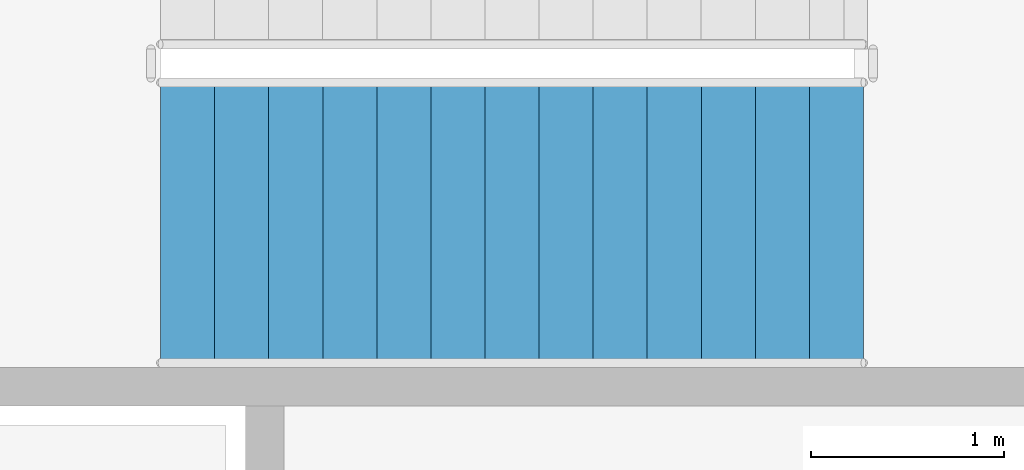
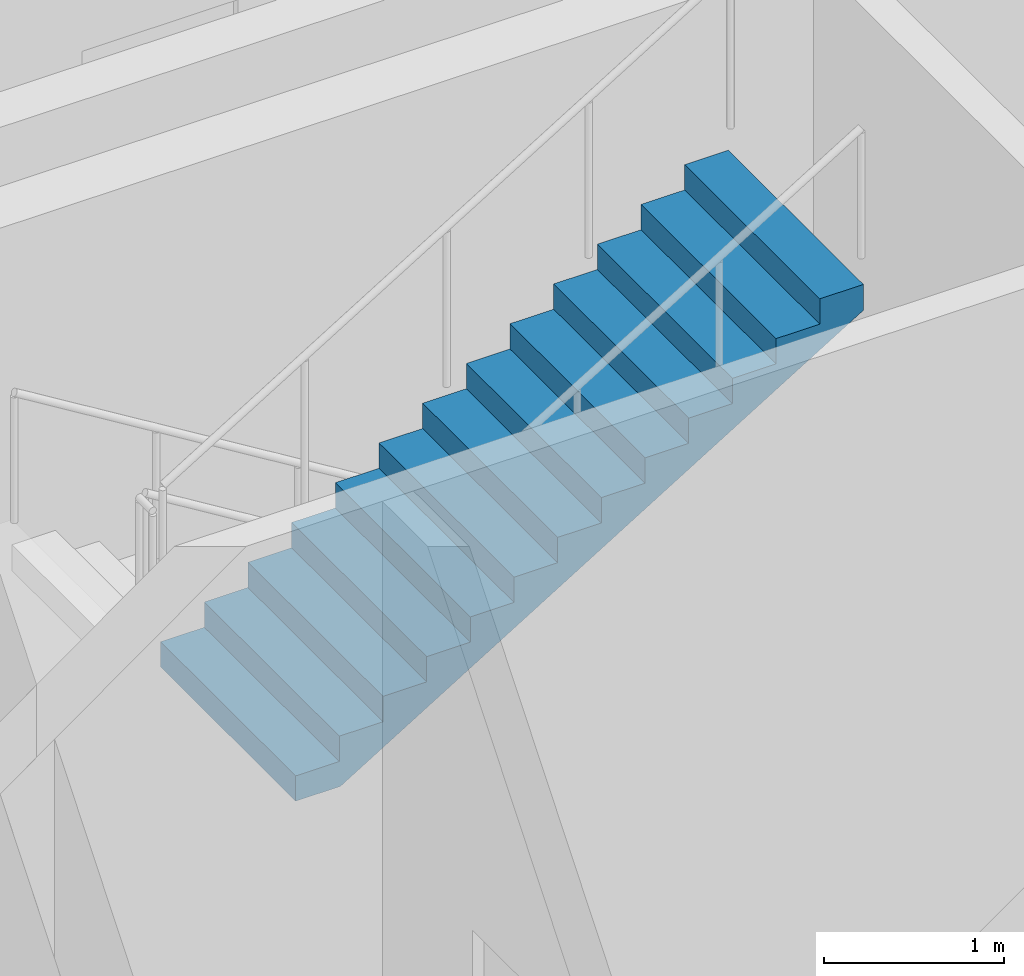
# One storey, part 67 of 91: 1 stair flight, 1 element without a shape of its own.
"""IFC4 building model written with IfcOpenShell, lengths in metres."""

import ifcopenshell
import ifcopenshell.guid

model = None  # the IFC model being written
_history = None  # IfcOwnerHistory: only IFC2X3 demands one
_inside = {}  # id of a spatial element -> (the spatial element, [elements in it])
_under = {}  # id of a project, library or spatial element -> (it, [spatial elements below it])
_declared = {}  # id of a project -> (the project, [libraries it declares])
_typed = {}  # id of a type object -> (the type object, [elements of that type])
_made_of = {}  # id of a material, layer set ... -> (it, [elements and type objects made of it])


def new_model(schema):
    """Start an empty IFC model of exactly this schema.

    Asked for "IFC4X3", IfcOpenShell would pick the latest addendum, in which some entities
    have other attributes; the version numbers below select the first issue.
    IFC2X3 requires an IfcOwnerHistory on every rooted entity: one is made here for all.
    """
    global model, _history
    if schema == "IFC4X3":
        model = ifcopenshell.file(schema_version=(4, 3, 0, 0))
    else:
        model = ifcopenshell.file(schema=schema)
    _inside.clear()
    _under.clear()
    _declared.clear()
    _typed.clear()
    _made_of.clear()
    _history = None
    if model.schema == "IFC2X3":
        org = make("IfcOrganization", Name="unknown")
        user = make(
            "IfcPersonAndOrganization",
            ThePerson=make("IfcPerson", FamilyName="unknown"),
            TheOrganization=org,
        )
        app = make(
            "IfcApplication",
            ApplicationDeveloper=org,
            Version="unknown",
            ApplicationFullName="unknown",
            ApplicationIdentifier="unknown",
        )
        _history = make(
            "IfcOwnerHistory",
            OwningUser=user,
            OwningApplication=app,
            ChangeAction="ADDED",
            CreationDate=0,
        )
    return model


def make(cls, **values):
    """One entity of the class cls with the attributes given. An attribute that is None is left unset."""
    return model.create_entity(
        cls, **{name: value for name, value in values.items() if value is not None}
    )


def rooted(cls, **values):
    """An entity with a GlobalId (a new one), such as an element, a storey or a relation."""
    return make(cls, GlobalId=ifcopenshell.guid.new(), OwnerHistory=_history, **values)


def si_unit(unit_type, name, prefix=None):
    """IfcSIUnit, for example si_unit("LENGTHUNIT", "METRE", prefix="MILLI")."""
    return make("IfcSIUnit", UnitType=unit_type, Prefix=prefix, Name=name)


def assignment(units):
    """IfcUnitAssignment: the units of a project."""
    return None if units is None else make("IfcUnitAssignment", Units=units)


def point(xyz):
    """IfcCartesianPoint."""
    return None if xyz is None else make("IfcCartesianPoint", Coordinates=xyz)


def direction(xyz):
    """IfcDirection."""
    return None if xyz is None else make("IfcDirection", DirectionRatios=xyz)


def frame(location, z_axis=None, x_axis=None):
    """IfcAxis2Placement3D, a coordinate frame: its origin and axes. An axis left out is left unset."""
    return make(
        "IfcAxis2Placement3D",
        Location=point(location),
        Axis=direction(z_axis),
        RefDirection=direction(x_axis),
    )


def origin():
    """The frame at (0, 0, 0) with its axes left unset."""
    return frame((0.0, 0.0, 0.0))


def place(relative_to, where):
    """IfcLocalPlacement: puts the frame where relative to a parent placement (None: the world)."""
    return make(
        "IfcLocalPlacement", PlacementRelTo=relative_to, RelativePlacement=where
    )


def context(
    kind, dimensions, precision=None, world=None, true_north=None, identifier=None
):
    """IfcGeometricRepresentationContext, for example the 3D "Model" context."""
    return make(
        "IfcGeometricRepresentationContext",
        ContextIdentifier=identifier,
        ContextType=kind,
        CoordinateSpaceDimension=dimensions,
        Precision=precision,
        WorldCoordinateSystem=world,
        TrueNorth=true_north,
    )


def subcontext(parent, identifier, kind, view, scale=None):
    """IfcGeometricRepresentationSubContext, for example "Body" below "Model"."""
    return make(
        "IfcGeometricRepresentationSubContext",
        ContextIdentifier=identifier,
        ContextType=kind,
        ParentContext=parent,
        TargetScale=scale,
        TargetView=view,
    )


def project(units=None, contexts=None):
    """IfcProject with its units and contexts."""
    return rooted(
        "IfcProject",
        Name="project",
        RepresentationContexts=contexts,
        UnitsInContext=assignment(units),
    )


def spatial(cls, under=None, at=None, **own):
    """A site, building, storey or space (cls), placed at a placement, below another one or the project."""
    s = rooted(cls, ObjectPlacement=at, **own)
    if under is not None:
        _under.setdefault(under.id(), (under, []))[1].append(s)
    return s


def point_list(points):
    """IfcCartesianPointList2D or 3D."""
    cls = (
        "IfcCartesianPointList2D" if len(points[0]) == 2 else "IfcCartesianPointList3D"
    )
    return make(cls, CoordList=points)


def triangles(points, corners, closed=None, point_numbers=None):
    """IfcTriangulatedFaceSet: each triangle names its three corners, points numbered from 1."""
    return make(
        "IfcTriangulatedFaceSet",
        Coordinates=point_list(points),
        Closed=closed,
        CoordIndex=corners,
        PnIndex=point_numbers,
    )


def shape(context_of_items, identifier, shape_type, items):
    """IfcShapeRepresentation: the items that make up one representation, for example the "Body"."""
    return make(
        "IfcShapeRepresentation",
        ContextOfItems=context_of_items,
        RepresentationIdentifier=identifier,
        RepresentationType=shape_type,
        Items=items,
    )


def material(Name=None, Category=None):
    """IfcMaterial."""
    return make("IfcMaterial", Name=Name, Category=Category)


def made_of(thing, what):
    """Note that an element or type object is made of a material, layer set ...; save() writes the relation."""
    if what is not None:
        _made_of.setdefault(what.id(), (what, []))[1].append(thing)
    return thing


def type_object(cls, material=None, **own):
    """A type object (cls), such as IfcWallType, which elements share."""
    return made_of(rooted(cls, **own), material)


def element(
    cls,
    number,
    at=None,
    inside=None,
    cuts=None,
    type_object=None,
    material=None,
    context=None,
    identifier="Body",
    shape_type=None,
    held_by="IfcProductDefinitionShape",
    body=None,
    shapes=None,
    **own,
):
    """One element of the class cls, such as IfcWall. Its Tag is "e" and its number.

    at: its placement. inside: the storey or other place that contains it. cuts: it is an
    opening in that element (IfcRelVoidsElement). A single representation is given by context,
    identifier, shape_type and body (its items); several are given by shapes. held_by: the class
    of the entity that holds the representations. save() writes the other relations.
    """
    e = rooted(cls, Tag="e%d" % number, ObjectPlacement=at, **own)
    if body is not None:
        shapes = [shape(context, identifier, shape_type, body)]
    if shapes is not None:
        e.Representation = make(held_by, Representations=shapes)
    if inside is not None:
        _inside.setdefault(inside.id(), (inside, []))[1].append(e)
    if cuts is not None:
        rooted(
            "IfcRelVoidsElement", RelatingBuildingElement=cuts, RelatedOpeningElement=e
        )
    if type_object is not None:
        _typed.setdefault(type_object.id(), (type_object, []))[1].append(e)
    return made_of(e, material)


def aggregate(whole, parts):
    """IfcRelAggregates: a whole, such as a stair, and the parts it consists of."""
    return rooted("IfcRelAggregates", RelatingObject=whole, RelatedObjects=parts)


def save(model, path):
    """Write the relations noted so far, then the file.

    IfcRelAggregates (storeys below a building ...), IfcRelContainedInSpatialStructure (elements
    in a storey), IfcRelDefinesByType, IfcRelAssociatesMaterial and IfcRelDeclares: one each for
    every whole, place, type object, material and project.
    """
    for whole, parts in _under.values():
        aggregate(whole, parts)
    for where, things in _inside.values():
        rooted(
            "IfcRelContainedInSpatialStructure",
            RelatedElements=things,
            RelatingStructure=where,
        )
    for kind, things in _typed.values():
        rooted("IfcRelDefinesByType", RelatedObjects=things, RelatingType=kind)
    for what, things in _made_of.values():
        rooted("IfcRelAssociatesMaterial", RelatedObjects=things, RelatingMaterial=what)
    for by, libraries in _declared.values():
        rooted("IfcRelDeclares", RelatingContext=by, RelatedDefinitions=libraries)
    model.write(path)


model = new_model("IFC4")

# Units and contexts
model_context = context("Model", 3, precision=1e-05, world=origin(), true_north=direction((0.0, 1.0)))
body_context = subcontext(model_context, "Body", "Model", "MODEL_VIEW")
ifc_project = project(units=[si_unit("LENGTHUNIT", "METRE"), si_unit("AREAUNIT", "SQUARE_METRE"), si_unit("VOLUMEUNIT", "CUBIC_METRE"), si_unit("PLANEANGLEUNIT", "RADIAN"), si_unit("MASSUNIT", "GRAM", prefix="KILO")], contexts=[model_context])

# Site, building, storey
site_placement = place(None, origin())
site = spatial("IfcSite", under=ifc_project, at=site_placement, CompositionType="ELEMENT")
building_placement = place(site_placement, origin())
building = spatial("IfcBuilding", under=site, at=building_placement, Name="Magnolia Steps Interchange", CompositionType="ELEMENT")
storey_placement = place(building_placement, origin())
storey = spatial("IfcBuildingStorey", under=building, at=storey_placement, Name="L00", CompositionType="ELEMENT", Elevation=0.0)

# Stair, stair flight
ifc_material_1 = material(Name="Concrete C40", Category="concrete")
stair_type = type_object("IfcStairType", Name="Exit stair 1500", PredefinedType="HALF_TURN_STAIR", material=ifc_material_1)
stair_placement = place(storey_placement, origin())
stair = element("IfcStair", 1, at=stair_placement, inside=storey, type_object=stair_type, Name="L00 Stair 2", PredefinedType="HALF_TURN_STAIR")
ifc_material_2 = material(Name="Concrete C40", Category="concrete")
stair_flight_type = type_object("IfcStairFlightType", Name="Exit stair flight", PredefinedType="STRAIGHT", material=ifc_material_2)
stair_flight_placement = place(storey_placement, frame((55.360107421875, 82.699951171875, 2.39990234375), z_axis=(0.0, 0.0, 1.0), x_axis=(1.0, 0.0, 0.0)))
stair_flight = element("IfcStairFlight", 2, at=stair_flight_placement, type_object=stair_flight_type, Name="Stair 2 flight 2", NumberOfRisers=14, NumberOfTreads=13, PredefinedType="STRAIGHT", RiserHeight=0.171428571, TreadLength=0.28, context=body_context, shape_type="Tessellation", body=[
    triangles([(0.0, -0.75, 0.0), (0.287109375, -0.75, 0.0), (3.639892578125, -0.75, 2.052734375), (3.639892578125, -0.75, 2.228515625), (3.360107421875, -0.75, 2.228515625), (3.360107421875, -0.75, 2.05712890625), (3.080078125, -0.75, 2.05712890625), (3.080078125, -0.75, 1.8857421875), (2.800048828125, -0.75, 1.8857421875), (2.800048828125, -0.75, 1.71435546875), (2.52001953125, -0.75, 1.71435546875), (2.52001953125, -0.75, 1.54296875), (2.239990234375, -0.75, 1.54296875), (2.239990234375, -0.75, 1.371337890625), (1.9599609375, -0.75, 1.371337890625), (1.9599609375, -0.75, 1.199951171875), (1.679931640625, -0.75, 1.199951171875), (1.679931640625, -0.75, 1.028564453125), (1.39990234375, -0.75, 1.028564453125), (1.39990234375, -0.75, 0.857177734375), (1.1201171875, -0.75, 0.857177734375), (1.1201171875, -0.75, 0.685791015625), (0.840087890625, -0.75, 0.685791015625), (0.840087890625, -0.75, 0.514404296875), (0.56005859375, -0.75, 0.514404296875), (0.56005859375, -0.75, 0.3427734375), (0.280029296875, -0.75, 0.3427734375), (0.280029296875, -0.75, 0.17138671875), (0.0, -0.75, 0.17138671875), (0.0, 0.75, 0.0), (0.287109375, 0.75, 0.0), (3.639892578125, 0.75, 2.052734375), (3.639892578125, 0.75, 2.228515625), (3.360107421875, 0.75, 2.228515625), (3.360107421875, 0.75, 2.05712890625), (3.080078125, 0.75, 2.05712890625), (3.080078125, 0.75, 1.8857421875), (2.800048828125, 0.75, 1.8857421875), (2.800048828125, 0.75, 1.71435546875), (2.52001953125, 0.75, 1.71435546875), (2.52001953125, 0.75, 1.54296875), (2.239990234375, 0.75, 1.54296875), (2.239990234375, 0.75, 1.371337890625), (1.9599609375, 0.75, 1.371337890625), (1.9599609375, 0.75, 1.199951171875), (1.679931640625, 0.75, 1.199951171875), (1.679931640625, 0.75, 1.028564453125), (1.39990234375, 0.75, 1.028564453125), (1.39990234375, 0.75, 0.857177734375), (1.1201171875, 0.75, 0.857177734375), (1.1201171875, 0.75, 0.685791015625), (0.840087890625, 0.75, 0.685791015625), (0.840087890625, 0.75, 0.514404296875), (0.56005859375, 0.75, 0.514404296875), (0.56005859375, 0.75, 0.3427734375), (0.280029296875, 0.75, 0.3427734375), (0.280029296875, 0.75, 0.17138671875), (0.0, 0.75, 0.17138671875), (0.0, 0.0, 0.0), (0.0, 0.0, 0.0428466796875), (0.0, 0.0, 0.085693359375), (0.0, 0.0, 0.1285400390625), (0.0, 0.0, 0.17138671875), (0.0, -0.05, 0.0), (0.0, -0.05, 0.17138671875), (0.0, 0.05, 0.0), (0.0, 0.05, 0.17138671875), (0.046671549479166664, 0.0, 0.17138671875), (0.09334309895833333, 0.0, 0.17138671875), (0.1400146484375, 0.0, 0.17138671875), (0.18668619791666666, 0.0, 0.17138671875), (0.23335774739583334, 0.0, 0.17138671875), (0.280029296875, 0.0, 0.17138671875), (0.280029296875, -0.05, 0.17138671875), (0.280029296875, 0.05, 0.17138671875), (0.280029296875, 0.0, 0.2142333984375), (0.280029296875, 0.0, 0.257080078125), (0.280029296875, 0.0, 0.2999267578125), (0.280029296875, 0.0, 0.3427734375), (0.280029296875, -0.05, 0.3427734375), (0.280029296875, 0.05, 0.3427734375), (0.3267008463541667, 0.0, 0.3427734375), (0.3733723958333333, 0.0, 0.3427734375), (0.4200439453125, 0.0, 0.3427734375), (0.46671549479166663, 0.0, 0.3427734375), (0.5133870442708334, 0.0, 0.3427734375), (0.56005859375, 0.0, 0.3427734375), (0.56005859375, -0.05, 0.3427734375), (0.56005859375, 0.05, 0.3427734375), (0.56005859375, 0.0, 0.38568115234375), (0.56005859375, 0.0, 0.4285888671875), (0.56005859375, 0.0, 0.47149658203125), (0.56005859375, 0.0, 0.514404296875), (0.56005859375, -0.05, 0.514404296875), (0.56005859375, 0.05, 0.514404296875), (0.6067301432291666, 0.0, 0.514404296875), (0.6534016927083334, 0.0, 0.514404296875), (0.7000732421875, 0.0, 0.514404296875), (0.7467447916666666, 0.0, 0.514404296875), (0.7934163411458334, 0.0, 0.514404296875), (0.840087890625, 0.0, 0.514404296875), (0.840087890625, -0.05, 0.514404296875), (0.840087890625, 0.05, 0.514404296875), (0.840087890625, 0.0, 0.5572509765625), (0.840087890625, 0.0, 0.60009765625), (0.840087890625, 0.0, 0.6429443359375), (0.840087890625, 0.0, 0.685791015625), (0.840087890625, -0.05, 0.685791015625), (0.840087890625, 0.05, 0.685791015625), (0.8867594401041666, 0.0, 0.685791015625), (0.9334309895833334, 0.0, 0.685791015625), (0.9801025390625, 0.0, 0.685791015625), (1.0267740885416667, 0.0, 0.685791015625), (1.0734456380208333, 0.0, 0.685791015625), (1.1201171875, 0.0, 0.685791015625), (1.1201171875, -0.05, 0.685791015625), (1.1201171875, 0.05, 0.685791015625), (1.1201171875, 0.0, 0.7286376953125), (1.1201171875, 0.0, 0.771484375), (1.1201171875, 0.0, 0.8143310546875), (1.1201171875, 0.0, 0.857177734375), (1.1201171875, -0.05, 0.857177734375), (1.1201171875, 0.05, 0.857177734375), (1.1900634765625, 0.0, 0.857177734375), (1.260009765625, 0.0, 0.857177734375), (1.3299560546875, 0.0, 0.857177734375), (1.39990234375, 0.0, 0.857177734375), (1.39990234375, -0.05, 0.857177734375), (1.39990234375, 0.05, 0.857177734375), (1.39990234375, 0.0, 0.9000244140625), (1.39990234375, 0.0, 0.94287109375), (1.39990234375, 0.0, 0.9857177734375), (1.39990234375, 0.0, 1.028564453125), (1.39990234375, -0.05, 1.028564453125), (1.39990234375, 0.05, 1.028564453125), (1.4465738932291667, 0.0, 1.028564453125), (1.4932454427083333, 0.0, 1.028564453125), (1.5399169921875, 0.0, 1.028564453125), (1.5865885416666667, 0.0, 1.028564453125), (1.6332600911458333, 0.0, 1.028564453125), (1.679931640625, 0.0, 1.028564453125), (1.679931640625, -0.05, 1.028564453125), (1.679931640625, 0.05, 1.028564453125), (1.679931640625, 0.0, 1.0714111328125), (1.679931640625, 0.0, 1.1142578125), (1.679931640625, 0.0, 1.1571044921875), (1.679931640625, 0.0, 1.199951171875), (1.679931640625, -0.05, 1.199951171875), (1.679931640625, 0.05, 1.199951171875), (1.7266031901041667, 0.0, 1.199951171875), (1.7732747395833333, 0.0, 1.199951171875), (1.8199462890625, 0.0, 1.199951171875), (1.8666178385416667, 0.0, 1.199951171875), (1.9132893880208333, 0.0, 1.199951171875), (1.9599609375, 0.0, 1.199951171875), (1.9599609375, -0.05, 1.199951171875), (1.9599609375, 0.05, 1.199951171875), (1.9599609375, 0.0, 1.2427978515625), (1.9599609375, 0.0, 1.28564453125), (1.9599609375, 0.0, 1.3284912109375), (1.9599609375, 0.0, 1.371337890625), (1.9599609375, -0.05, 1.371337890625), (1.9599609375, 0.05, 1.371337890625), (2.0066324869791665, 0.0, 1.371337890625), (2.0533040364583335, 0.0, 1.371337890625), (2.0999755859375, 0.0, 1.371337890625), (2.1466471354166665, 0.0, 1.371337890625), (2.1933186848958335, 0.0, 1.371337890625), (2.239990234375, 0.0, 1.371337890625), (2.239990234375, -0.05, 1.371337890625), (2.239990234375, 0.05, 1.371337890625), (2.239990234375, 0.0, 1.41424560546875), (2.239990234375, 0.0, 1.4571533203125), (2.239990234375, 0.0, 1.50006103515625), (2.239990234375, 0.0, 1.54296875), (2.239990234375, -0.05, 1.54296875), (2.239990234375, 0.05, 1.54296875), (2.2866617838541665, 0.0, 1.54296875), (2.3333333333333335, 0.0, 1.54296875), (2.3800048828125, 0.0, 1.54296875), (2.4266764322916665, 0.0, 1.54296875), (2.4733479817708335, 0.0, 1.54296875), (2.52001953125, 0.0, 1.54296875), (2.52001953125, -0.05, 1.54296875), (2.52001953125, 0.05, 1.54296875), (2.52001953125, 0.0, 1.5858154296875), (2.52001953125, 0.0, 1.628662109375), (2.52001953125, 0.0, 1.6715087890625), (2.52001953125, 0.0, 1.71435546875), (2.52001953125, -0.05, 1.71435546875), (2.52001953125, 0.05, 1.71435546875), (2.5666910807291665, 0.0, 1.71435546875), (2.6133626302083335, 0.0, 1.71435546875), (2.6600341796875, 0.0, 1.71435546875), (2.7067057291666665, 0.0, 1.71435546875), (2.7533772786458335, 0.0, 1.71435546875), (2.800048828125, 0.0, 1.71435546875), (2.800048828125, -0.05, 1.71435546875), (2.800048828125, 0.05, 1.71435546875), (2.800048828125, 0.0, 1.7572021484375), (2.800048828125, 0.0, 1.800048828125), (2.800048828125, 0.0, 1.8428955078125), (2.800048828125, 0.0, 1.8857421875), (2.800048828125, -0.05, 1.8857421875), (2.800048828125, 0.05, 1.8857421875), (2.8467203776041665, 0.0, 1.8857421875), (2.8933919270833335, 0.0, 1.8857421875), (2.9400634765625, 0.0, 1.8857421875), (2.9867350260416665, 0.0, 1.8857421875), (3.0334065755208335, 0.0, 1.8857421875), (3.080078125, 0.0, 1.8857421875), (3.080078125, -0.05, 1.8857421875), (3.080078125, 0.05, 1.8857421875), (3.080078125, 0.0, 1.9285888671875), (3.080078125, 0.0, 1.971435546875), (3.080078125, 0.0, 2.0142822265625), (3.080078125, 0.0, 2.05712890625), (3.080078125, -0.05, 2.05712890625), (3.080078125, 0.05, 2.05712890625), (3.1267496744791665, 0.0, 2.05712890625), (3.1734212239583335, 0.0, 2.05712890625), (3.2200927734375, 0.0, 2.05712890625), (3.2667643229166665, 0.0, 2.05712890625), (3.3134358723958335, 0.0, 2.05712890625), (3.360107421875, 0.0, 2.05712890625), (3.360107421875, -0.05, 2.05712890625), (3.360107421875, 0.05, 2.05712890625), (3.360107421875, 0.0, 2.0999755859375), (3.360107421875, 0.0, 2.142822265625), (3.360107421875, 0.0, 2.1856689453125), (3.360107421875, 0.0, 2.228515625), (3.360107421875, -0.05, 2.228515625), (3.360107421875, 0.05, 2.228515625), (3.4300537109375, 0.0, 2.228515625), (3.5, 0.0, 2.228515625), (3.5699462890625, 0.0, 2.228515625), (3.639892578125, 0.0, 2.228515625), (3.639892578125, -0.05, 2.228515625), (3.639892578125, 0.05, 2.228515625), (3.639892578125, 0.0, 2.1845703125), (3.639892578125, 0.0, 2.140625), (3.639892578125, 0.0, 2.0966796875), (3.639892578125, 0.0, 2.052734375), (3.639892578125, -0.05, 2.052734375), (3.639892578125, 0.05, 2.052734375), (3.582085971174569, 0.0, 2.0173424030172415), (3.524279364224138, 0.0, 1.9819504310344827), (3.466472757273707, 0.0, 1.9465584590517242), (3.408666150323276, 0.0, 1.9111664870689655), (3.3508595433728448, 0.0, 1.8757745150862069), (3.2930529364224137, 0.0, 1.8403825431034484), (3.2352463294719827, 0.0, 1.8049905711206897), (3.1774397225215516, 0.0, 1.769598599137931), (3.1196331155711206, 0.0, 1.7342066271551724), (3.0618265086206895, 0.0, 1.6988146551724137), (3.004019901670259, 0.0, 1.6634226831896552), (2.9462132947198274, 0.0, 1.6280307112068966), (2.888406687769397, 0.0, 1.592638739224138), (2.8306000808189653, 0.0, 1.5572467672413794), (2.7727934738685347, 0.0, 1.5218547952586206), (2.714986866918103, 0.0, 1.486462823275862), (2.6571802599676726, 0.0, 1.4510708512931034), (2.599373653017241, 0.0, 1.4156788793103448), (2.5415670460668105, 0.0, 1.3802869073275863), (2.483760439116379, 0.0, 1.3448949353448276), (2.4259538321659484, 0.0, 1.309502963362069), (2.3681472252155173, 0.0, 1.2741109913793105), (2.3103406182650863, 0.0, 1.2387190193965516), (2.2525340113146552, 0.0, 1.2033270474137931), (2.194727404364224, 0.0, 1.1679350754310345), (2.136920797413793, 0.0, 1.1325431034482758), (2.079114190463362, 0.0, 1.0971511314655173), (2.021307583512931, 0.0, 1.0617591594827587), (1.9635009765625, 0.0, 1.0263671875), (1.905694369612069, 0.0, 0.9909752155172413), (1.847887762661638, 0.0, 0.9555832435344827), (1.7900811557112069, 0.0, 0.9201912715517242), (1.7322745487607758, 0.0, 0.8847992995689655), (1.6744679418103448, 0.0, 0.8494073275862069), (1.6166613348599137, 0.0, 0.8140153556034482), (1.5588547279094827, 0.0, 0.7786233836206897), (1.5010481209590516, 0.0, 0.743231411637931), (1.4432415140086206, 0.0, 0.7078394396551724), (1.3854349070581895, 0.0, 0.6724474676724137), (1.3276283001077585, 0.0, 0.6370554956896552), (1.2698216931573274, 0.0, 0.6016635237068966), (1.2120150862068964, 0.0, 0.5662715517241379), (1.1542084792564653, 0.0, 0.5308795797413792), (1.0964018723060347, 0.0, 0.4954876077586208), (1.0385952653556036, 0.0, 0.4600956357758621), (0.9807886584051726, 0.0, 0.4247036637931034), (0.9229820514547415, 0.0, 0.38931169181034475), (0.8651754445043105, 0.0, 0.3539197198275863), (0.8073688375538794, 0.0, 0.3185277478448276), (0.7495622306034484, 0.0, 0.28313577586206895), (0.6917556236530173, 0.0, 0.24774380387931028), (0.6339490167025863, 0.0, 0.21235183189655182), (0.5761424097521552, 0.0, 0.17695985991379315), (0.5183358028017242, 0.0, 0.14156788793103448), (0.46052919585129315, 0.0, 0.1061759159482758), (0.4027225889008621, 0.0, 0.07078394396551735), (0.34491598195043105, 0.0, 0.03539197198275845), (0.287109375, 0.0, 0.0), (0.287109375, -0.05, 0.0), (0.287109375, 0.05, 0.0), (0.2392578125, 0.0, 0.0), (0.19140625, 0.0, 0.0), (0.1435546875, 0.0, 0.0), (0.095703125, 0.0, 0.0), (0.0478515625, 0.0, 0.0)], [[1, 2, 3], [3, 4, 5], [3, 5, 6], [3, 6, 7], [3, 7, 8], [8, 9, 10], [3, 8, 10], [10, 11, 12], [3, 10, 12], [12, 13, 14], [3, 12, 14], [14, 15, 16], [3, 14, 16], [16, 17, 18], [3, 16, 18], [18, 19, 20], [3, 18, 20], [20, 21, 22], [3, 20, 22], [22, 23, 24], [3, 22, 24], [24, 25, 26], [3, 24, 26], [26, 27, 28], [3, 26, 28], [1, 3, 28], [28, 29, 1], [30, 32, 31], [32, 34, 33], [32, 35, 34], [32, 36, 35], [32, 37, 36], [37, 39, 38], [32, 39, 37], [39, 41, 40], [32, 41, 39], [41, 43, 42], [32, 43, 41], [43, 45, 44], [32, 45, 43], [45, 47, 46], [32, 47, 45], [47, 49, 48], [32, 49, 47], [49, 51, 50], [32, 51, 49], [51, 53, 52], [32, 53, 51], [53, 55, 54], [32, 55, 53], [55, 57, 56], [32, 57, 55], [30, 57, 32], [57, 30, 58], [1, 29, 65], [1, 65, 64], [64, 60, 59], [64, 61, 60], [64, 65, 61], [65, 62, 61], [65, 63, 62], [30, 67, 58], [30, 66, 67], [66, 59, 60], [66, 60, 61], [66, 61, 67], [67, 61, 62], [67, 62, 63], [29, 28, 74], [29, 74, 65], [65, 68, 63], [65, 69, 68], [65, 70, 69], [65, 74, 70], [74, 71, 70], [74, 72, 71], [74, 73, 72], [58, 75, 57], [58, 67, 75], [67, 63, 68], [67, 68, 69], [67, 69, 70], [67, 70, 75], [75, 70, 71], [75, 71, 72], [75, 72, 73], [28, 27, 80], [28, 80, 74], [74, 76, 73], [74, 77, 76], [74, 80, 77], [80, 78, 77], [80, 79, 78], [57, 81, 56], [57, 75, 81], [75, 73, 76], [75, 76, 77], [75, 77, 81], [81, 77, 78], [81, 78, 79], [27, 26, 88], [27, 88, 80], [80, 82, 79], [80, 83, 82], [80, 84, 83], [80, 88, 84], [88, 85, 84], [88, 86, 85], [88, 87, 86], [56, 89, 55], [56, 81, 89], [81, 79, 82], [81, 82, 83], [81, 83, 84], [81, 84, 89], [89, 84, 85], [89, 85, 86], [89, 86, 87], [26, 25, 94], [26, 94, 88], [88, 90, 87], [88, 91, 90], [88, 94, 91], [94, 92, 91], [94, 93, 92], [55, 95, 54], [55, 89, 95], [89, 87, 90], [89, 90, 91], [89, 91, 95], [95, 91, 92], [95, 92, 93], [25, 24, 102], [25, 102, 94], [94, 96, 93], [94, 97, 96], [94, 98, 97], [94, 102, 98], [102, 99, 98], [102, 100, 99], [102, 101, 100], [54, 103, 53], [54, 95, 103], [95, 93, 96], [95, 96, 97], [95, 97, 98], [95, 98, 103], [103, 98, 99], [103, 99, 100], [103, 100, 101], [24, 23, 108], [24, 108, 102], [102, 104, 101], [102, 105, 104], [102, 108, 105], [108, 106, 105], [108, 107, 106], [53, 109, 52], [53, 103, 109], [103, 101, 104], [103, 104, 105], [103, 105, 109], [109, 105, 106], [109, 106, 107], [23, 22, 116], [23, 116, 108], [108, 110, 107], [108, 111, 110], [108, 112, 111], [108, 116, 112], [116, 113, 112], [116, 114, 113], [116, 115, 114], [52, 117, 51], [52, 109, 117], [109, 107, 110], [109, 110, 111], [109, 111, 112], [109, 112, 117], [117, 112, 113], [117, 113, 114], [117, 114, 115], [22, 21, 122], [22, 122, 116], [116, 118, 115], [116, 119, 118], [116, 122, 119], [122, 120, 119], [122, 121, 120], [51, 123, 50], [51, 117, 123], [117, 115, 118], [117, 118, 119], [117, 119, 123], [123, 119, 120], [123, 120, 121], [21, 20, 128], [21, 128, 122], [122, 124, 121], [122, 125, 124], [122, 128, 125], [128, 126, 125], [128, 127, 126], [50, 129, 49], [50, 123, 129], [123, 121, 124], [123, 124, 125], [123, 125, 129], [129, 125, 126], [129, 126, 127], [20, 19, 134], [20, 134, 128], [128, 130, 127], [128, 131, 130], [128, 134, 131], [134, 132, 131], [134, 133, 132], [49, 135, 48], [49, 129, 135], [129, 127, 130], [129, 130, 131], [129, 131, 135], [135, 131, 132], [135, 132, 133], [19, 18, 142], [19, 142, 134], [134, 136, 133], [134, 137, 136], [134, 138, 137], [134, 142, 138], [142, 139, 138], [142, 140, 139], [142, 141, 140], [48, 143, 47], [48, 135, 143], [135, 133, 136], [135, 136, 137], [135, 137, 138], [135, 138, 143], [143, 138, 139], [143, 139, 140], [143, 140, 141], [18, 17, 148], [18, 148, 142], [142, 144, 141], [142, 145, 144], [142, 148, 145], [148, 146, 145], [148, 147, 146], [47, 149, 46], [47, 143, 149], [143, 141, 144], [143, 144, 145], [143, 145, 149], [149, 145, 146], [149, 146, 147], [17, 16, 156], [17, 156, 148], [148, 150, 147], [148, 151, 150], [148, 152, 151], [148, 156, 152], [156, 153, 152], [156, 154, 153], [156, 155, 154], [46, 157, 45], [46, 149, 157], [149, 147, 150], [149, 150, 151], [149, 151, 152], [149, 152, 157], [157, 152, 153], [157, 153, 154], [157, 154, 155], [16, 15, 162], [16, 162, 156], [156, 158, 155], [156, 159, 158], [156, 162, 159], [162, 160, 159], [162, 161, 160], [45, 163, 44], [45, 157, 163], [157, 155, 158], [157, 158, 159], [157, 159, 163], [163, 159, 160], [163, 160, 161], [15, 14, 170], [15, 170, 162], [162, 164, 161], [162, 165, 164], [162, 166, 165], [162, 170, 166], [170, 167, 166], [170, 168, 167], [170, 169, 168], [44, 171, 43], [44, 163, 171], [163, 161, 164], [163, 164, 165], [163, 165, 166], [163, 166, 171], [171, 166, 167], [171, 167, 168], [171, 168, 169], [14, 13, 176], [14, 176, 170], [170, 172, 169], [170, 173, 172], [170, 176, 173], [176, 174, 173], [176, 175, 174], [43, 177, 42], [43, 171, 177], [171, 169, 172], [171, 172, 173], [171, 173, 177], [177, 173, 174], [177, 174, 175], [13, 12, 184], [13, 184, 176], [176, 178, 175], [176, 179, 178], [176, 180, 179], [176, 184, 180], [184, 181, 180], [184, 182, 181], [184, 183, 182], [42, 185, 41], [42, 177, 185], [177, 175, 178], [177, 178, 179], [177, 179, 180], [177, 180, 185], [185, 180, 181], [185, 181, 182], [185, 182, 183], [12, 11, 190], [12, 190, 184], [184, 186, 183], [184, 187, 186], [184, 190, 187], [190, 188, 187], [190, 189, 188], [41, 191, 40], [41, 185, 191], [185, 183, 186], [185, 186, 187], [185, 187, 191], [191, 187, 188], [191, 188, 189], [11, 10, 198], [11, 198, 190], [190, 192, 189], [190, 193, 192], [190, 194, 193], [190, 198, 194], [198, 195, 194], [198, 196, 195], [198, 197, 196], [40, 199, 39], [40, 191, 199], [191, 189, 192], [191, 192, 193], [191, 193, 194], [191, 194, 199], [199, 194, 195], [199, 195, 196], [199, 196, 197], [10, 9, 204], [10, 204, 198], [198, 200, 197], [198, 201, 200], [198, 204, 201], [204, 202, 201], [204, 203, 202], [39, 205, 38], [39, 199, 205], [199, 197, 200], [199, 200, 201], [199, 201, 205], [205, 201, 202], [205, 202, 203], [9, 8, 212], [9, 212, 204], [204, 206, 203], [204, 207, 206], [204, 208, 207], [204, 212, 208], [212, 209, 208], [212, 210, 209], [212, 211, 210], [38, 213, 37], [38, 205, 213], [205, 203, 206], [205, 206, 207], [205, 207, 208], [205, 208, 213], [213, 208, 209], [213, 209, 210], [213, 210, 211], [8, 7, 218], [8, 218, 212], [212, 214, 211], [212, 215, 214], [212, 218, 215], [218, 216, 215], [218, 217, 216], [37, 219, 36], [37, 213, 219], [213, 211, 214], [213, 214, 215], [213, 215, 219], [219, 215, 216], [219, 216, 217], [7, 6, 226], [7, 226, 218], [218, 220, 217], [218, 221, 220], [218, 222, 221], [218, 226, 222], [226, 223, 222], [226, 224, 223], [226, 225, 224], [36, 227, 35], [36, 219, 227], [219, 217, 220], [219, 220, 221], [219, 221, 222], [219, 222, 227], [227, 222, 223], [227, 223, 224], [227, 224, 225], [6, 5, 232], [6, 232, 226], [226, 228, 225], [226, 229, 228], [226, 232, 229], [232, 230, 229], [232, 231, 230], [35, 233, 34], [35, 227, 233], [227, 225, 228], [227, 228, 229], [227, 229, 233], [233, 229, 230], [233, 230, 231], [5, 4, 238], [5, 238, 232], [232, 234, 231], [232, 235, 234], [232, 238, 235], [238, 236, 235], [238, 237, 236], [34, 239, 33], [34, 233, 239], [233, 231, 234], [233, 234, 235], [233, 235, 239], [239, 235, 236], [239, 236, 237], [4, 3, 244], [4, 244, 238], [238, 240, 237], [238, 241, 240], [238, 244, 241], [244, 242, 241], [244, 243, 242], [33, 245, 32], [33, 239, 245], [239, 237, 240], [239, 240, 241], [239, 241, 245], [245, 241, 242], [245, 242, 243], [3, 2, 304], [3, 304, 244], [244, 246, 243], [244, 247, 246], [244, 248, 247], [244, 249, 248], [244, 250, 249], [244, 251, 250], [244, 252, 251], [244, 253, 252], [244, 254, 253], [244, 255, 254], [244, 256, 255], [244, 257, 256], [244, 258, 257], [244, 259, 258], [244, 260, 259], [244, 261, 260], [244, 262, 261], [244, 263, 262], [244, 264, 263], [244, 265, 264], [244, 266, 265], [244, 267, 266], [244, 268, 267], [244, 269, 268], [244, 270, 269], [244, 271, 270], [244, 272, 271], [244, 273, 272], [244, 274, 273], [244, 304, 274], [304, 275, 274], [304, 276, 275], [304, 277, 276], [304, 278, 277], [304, 279, 278], [304, 280, 279], [304, 281, 280], [304, 282, 281], [304, 283, 282], [304, 284, 283], [304, 285, 284], [304, 286, 285], [304, 287, 286], [304, 288, 287], [304, 289, 288], [304, 290, 289], [304, 291, 290], [304, 292, 291], [304, 293, 292], [304, 294, 293], [304, 295, 294], [304, 296, 295], [304, 297, 296], [304, 298, 297], [304, 299, 298], [304, 300, 299], [304, 301, 300], [304, 302, 301], [304, 303, 302], [32, 305, 31], [32, 245, 305], [245, 243, 246], [245, 246, 247], [245, 247, 248], [245, 248, 249], [245, 249, 250], [245, 250, 251], [245, 251, 252], [245, 252, 253], [245, 253, 254], [245, 254, 255], [245, 255, 256], [245, 256, 257], [245, 257, 258], [245, 258, 259], [245, 259, 260], [245, 260, 261], [245, 261, 262], [245, 262, 263], [245, 263, 264], [245, 264, 265], [245, 265, 266], [245, 266, 267], [245, 267, 268], [245, 268, 269], [245, 269, 270], [245, 270, 271], [245, 271, 272], [245, 272, 273], [245, 273, 274], [245, 274, 305], [305, 274, 275], [305, 275, 276], [305, 276, 277], [305, 277, 278], [305, 278, 279], [305, 279, 280], [305, 280, 281], [305, 281, 282], [305, 282, 283], [305, 283, 284], [305, 284, 285], [305, 285, 286], [305, 286, 287], [305, 287, 288], [305, 288, 289], [305, 289, 290], [305, 290, 291], [305, 291, 292], [305, 292, 293], [305, 293, 294], [305, 294, 295], [305, 295, 296], [305, 296, 297], [305, 297, 298], [305, 298, 299], [305, 299, 300], [305, 300, 301], [305, 301, 302], [305, 302, 303], [2, 1, 64], [2, 64, 304], [304, 306, 303], [304, 307, 306], [304, 308, 307], [304, 64, 308], [64, 309, 308], [64, 310, 309], [64, 59, 310], [31, 66, 30], [31, 305, 66], [305, 303, 306], [305, 306, 307], [305, 307, 308], [305, 308, 66], [66, 308, 309], [66, 309, 310], [66, 310, 59]], closed=True),
])
aggregate(stair, [stair_flight])

save(model, "model.ifc")
